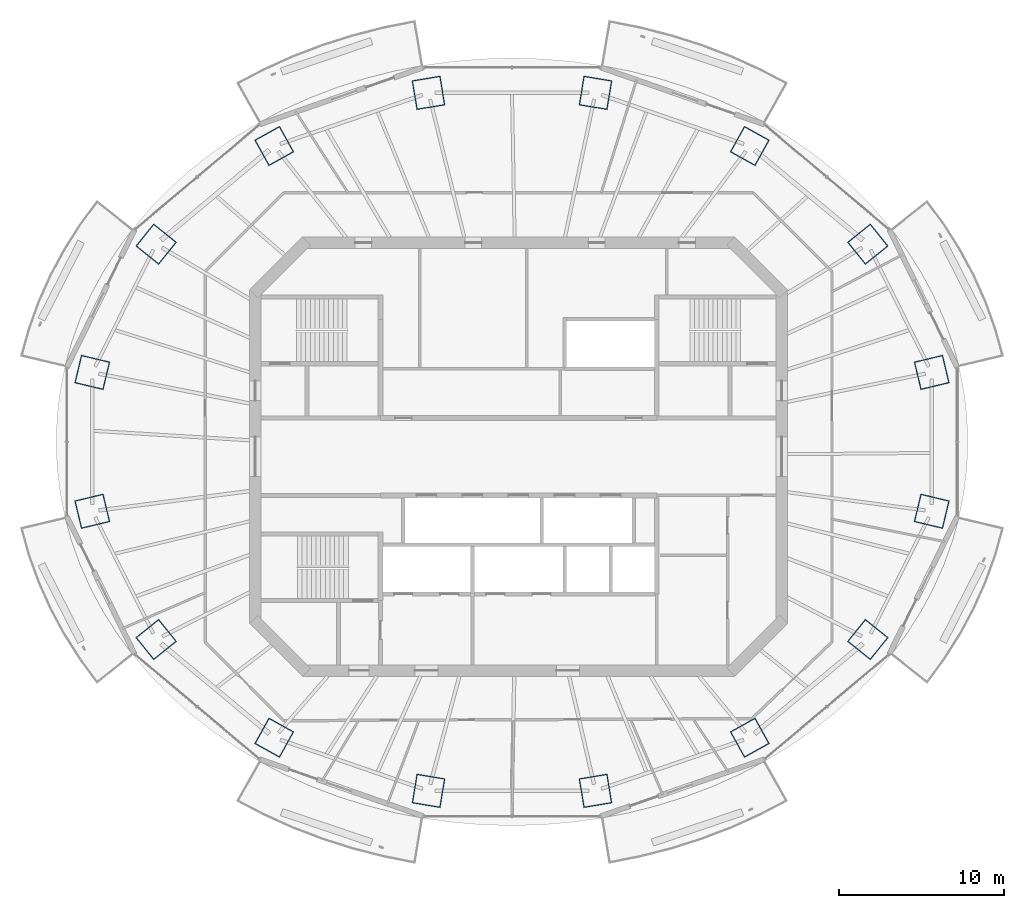
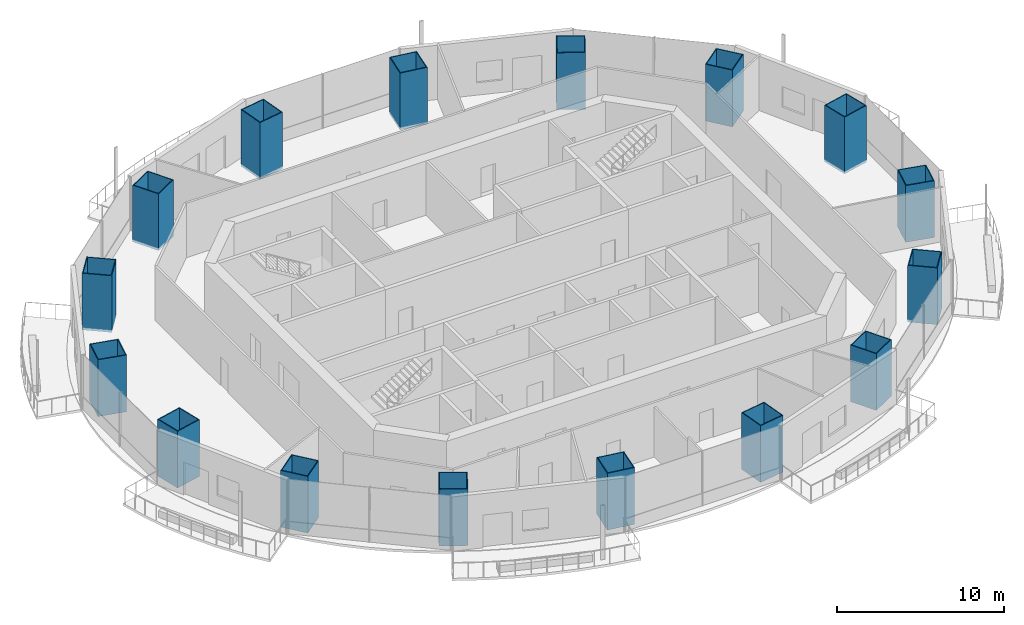
# One storey, part 1 of 16: 16 columns.
"""IFC4 building model written with IfcOpenShell, lengths in metres."""

from ifc_helpers import new_model, si_unit, direction, frame, origin, origin_2d, place, context, subcontext, project, spatial, rectangle, hollow_rectangle, extrude, material, material_profile, profile_set, type_object, element, save


model = new_model("IFC4")

# Units and contexts
model_context = context("Model", 3, precision=1e-05, world=origin(), true_north=direction((0.0, 1.0)))
body_context = subcontext(model_context, "Body", "Model", "MODEL_VIEW")
ifc_project = project(units=[si_unit("LENGTHUNIT", "METRE"), si_unit("AREAUNIT", "SQUARE_METRE"), si_unit("VOLUMEUNIT", "CUBIC_METRE"), si_unit("PLANEANGLEUNIT", "RADIAN"), si_unit("MASSUNIT", "GRAM", prefix="KILO")], contexts=[model_context])

# Site, building, storey
site_placement = place(None, origin())
site = spatial("IfcSite", under=ifc_project, at=site_placement, CompositionType="ELEMENT")
building_placement = place(site_placement, origin())
building = spatial("IfcBuilding", under=site, at=building_placement, Name="Marenthal Gate Tower", CompositionType="ELEMENT")
storey_placement = place(building_placement, frame((0.0, 0.0, 321.85009765625)))
storey = spatial("IfcBuildingStorey", under=building, at=storey_placement, Name="L72", CompositionType="ELEMENT", Elevation=321.85009765625)

# Columns
ifc_material_1 = material(Name="Steel S460", Category="steel")
ifc_material_profile_1 = material_profile(ifc_material_1, hollow_rectangle(XDim=1.75, YDim=1.800048828125, WallThickness=0.054931640625, at=origin_2d()), Name="CFT BOX 1800X1750X55")
ifc_material_2 = material(Name="Concrete 70 MPa", Category="concrete")
ifc_material_profile_2 = material_profile(ifc_material_2, rectangle(XDim=1.639892578125, YDim=1.68994140625, at=origin_2d()), Name="CFT BOX 1800X1750X55 INFILL")
ifc_profile_set = profile_set([ifc_material_profile_1, ifc_material_profile_2], Name="Steel S460 shell, Concrete 70 MPa infill")
column_type = type_object("IfcColumnType", Name="CFT BOX 1800X1750X55", PredefinedType="COLUMN", material=ifc_profile_set)
for number, where, z_axis, x_axis, name in (
    (1, (25.1123046875, 5.119140625, -0.18017578125), (0.0, 0.0, 1.0), (0.232676502106, -0.97255418634, 0.0), "COL-L72-01"),
    (2, (21.228271484375, 12.915283203125, -0.18017578125), (0.0, 0.0, 1.0), (0.626431050402, -0.77947683679, 0.0), "COL-L72-02"),
    (3, (14.051513671875, 18.882080078125, -0.18017578125), (0.0, 0.0, 1.0), (0.874163244047, -0.485632188757, 0.0), "COL-L72-03"),
    (4, (4.6748046875, 22.111328125, -0.18017578125), (0.0, 0.0, 1.0), (0.986598943742, -0.163164102079, 0.0), "COL-L72-04"),
    (5, (-5.474609375, 22.111328125, -0.18017578125), (0.0, 0.0, 1.0), (0.986598943742, 0.163164102079, 0.0), "COL-L72-05"),
    (6, (-14.8515625, 18.882080078125, -0.18017578125), (0.0, 0.0, 1.0), (0.874163244047, 0.485632188757, 0.0), "COL-L72-06"),
    (7, (-22.0283203125, 12.915283203125, -0.18017578125), (0.0, 0.0, 1.0), (0.626431050402, 0.77947683679, 0.0), "COL-L72-07"),
    (8, (-25.912109375, 5.119140625, -0.18017578125), (0.0, 0.0, 1.0), (0.232676502106, 0.97255418634, 0.0), "COL-L72-08"),
    (9, (-25.912109375, -3.319091796875, -0.18017578125), (0.0, 0.0, 1.0), (-0.232676502106, 0.97255418634, 0.0), "COL-L72-09"),
    (10, (-22.0283203125, -11.115234375, -0.18017578125), (0.0, 0.0, 1.0), (-0.626431050402, 0.77947683679, 0.0), "COL-L72-10"),
    (11, (-14.8515625, -17.082275390625, -0.18017578125), (0.0, 0.0, 1.0), (-0.874163244047, 0.485632188757, 0.0), "COL-L72-11"),
    (12, (-5.474609375, -20.311279296875, -0.18017578125), (0.0, 0.0, 1.0), (-0.986598943742, 0.163164102079, 0.0), "COL-L72-12"),
    (13, (4.6748046875, -20.311279296875, -0.18017578125), (0.0, 0.0, 1.0), (-0.986598943742, -0.163164102079, 0.0), "COL-L72-13"),
    (14, (14.051513671875, -17.082275390625, -0.18017578125), (0.0, 0.0, 1.0), (-0.874163244047, -0.485632188757, 0.0), "COL-L72-14"),
    (15, (21.228271484375, -11.115234375, -0.18017578125), (0.0, 0.0, 1.0), (-0.626431050402, -0.77947683679, 0.0), "COL-L72-15"),
    (16, (25.1123046875, -3.319091796875, -0.18017578125), (0.0, 0.0, 1.0), (-0.232676502106, -0.97255418634, 0.0), "COL-L72-16"),
):
    element("IfcColumn", number, at=place(storey_placement, frame(where, z_axis=z_axis, x_axis=x_axis)), inside=storey, type_object=column_type, Name=name, PredefinedType="COLUMN", context=body_context, shape_type="SweptSolid", body=[
        extrude(hollow_rectangle(XDim=1.75, YDim=1.800048828125, WallThickness=0.054931640625, at=origin_2d()), origin(), (0.0, 0.0, 1.0), 4.150146484375),
    ])

save(model, "model.ifc")
